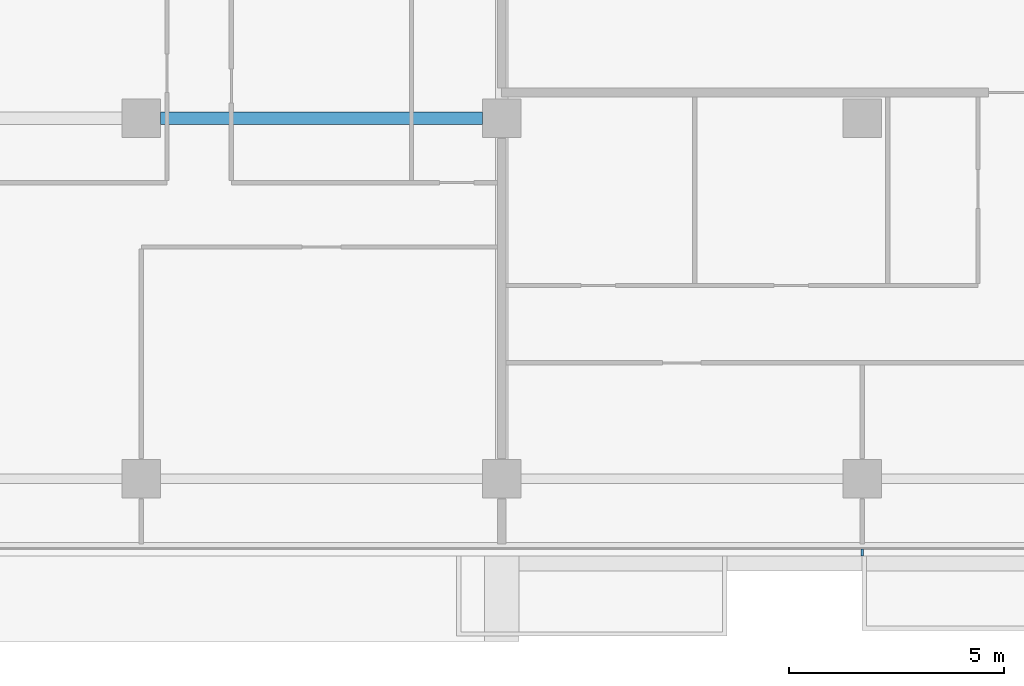
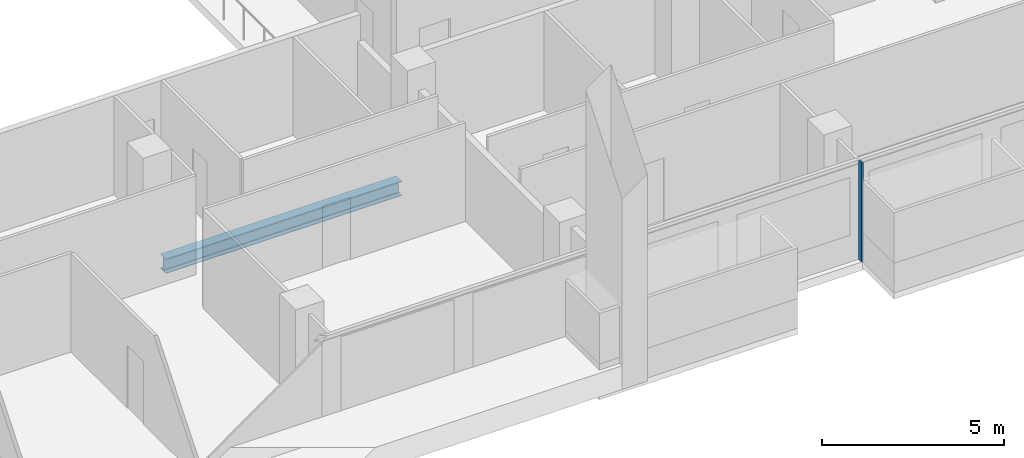
# One storey, part 6 of 30: 1 beam, 1 member, 1 element without a shape of its own.
"""IFC4 building model written with IfcOpenShell, lengths in metres."""

from ifc_helpers import new_model, si_unit, direction, frame, origin, origin_2d, place, context, subcontext, project, spatial, rectangle, i_section, extrude, material, material_profile, profile_set, type_object, element, aggregate, save


model = new_model("IFC4")

# Units and contexts
model_context = context("Model", 3, precision=1e-05, world=origin(), true_north=direction((0.0, 1.0)))
body_context = subcontext(model_context, "Body", "Model", "MODEL_VIEW")
ifc_project = project(units=[si_unit("LENGTHUNIT", "METRE"), si_unit("AREAUNIT", "SQUARE_METRE"), si_unit("VOLUMEUNIT", "CUBIC_METRE"), si_unit("PLANEANGLEUNIT", "RADIAN"), si_unit("MASSUNIT", "GRAM", prefix="KILO")], contexts=[model_context])

# Site, building, storey
site_placement = place(None, origin())
site = spatial("IfcSite", under=ifc_project, at=site_placement, CompositionType="ELEMENT")
building_placement = place(site_placement, origin())
building = spatial("IfcBuilding", under=site, at=building_placement, Name="Saffron Gate Tower", CompositionType="ELEMENT")
storey_placement = place(building_placement, frame((0.0, 0.0, 37.199951171875)))
storey = spatial("IfcBuildingStorey", under=building, at=storey_placement, Name="L07", CompositionType="ELEMENT", Elevation=37.199951171875)

# Beam
ifc_material_1 = material(Name="Structural steel S355", Category="steel")
ifc_material_profile_1 = material_profile(ifc_material_1, i_section(OverallWidth=0.300048828125, OverallDepth=0.489990234375, WebThickness=0.011962890625, FlangeThickness=0.02294921875, FilletRadius=0.027099609375, at=origin_2d()))
ifc_profile_set_1 = profile_set([ifc_material_profile_1], Name="Structural steel S355")
beam_type = type_object("IfcBeamType", Name="B8 HEA 500", PredefinedType="BEAM", material=ifc_profile_set_1)
beam_placement = place(storey_placement, frame((92.25, 40.199951171875, -0.52490234375), z_axis=(1.0, 0.0, 0.0), x_axis=(0.0, 1.0, 0.0)))
element("IfcBeam", 1, at=beam_placement, inside=storey, type_object=beam_type, Name="B8 FLOOR GIRDER", PredefinedType="BEAM", context=body_context, shape_type="SweptSolid", body=[
    extrude(i_section(OverallWidth=0.300048828125, OverallDepth=0.489990234375, WebThickness=0.011962890625, FlangeThickness=0.02294921875, FilletRadius=0.027099609375, at=origin_2d()), origin(), (0.0, 0.0, 1.0), 7.5),
])

# Curtain wall, member
ifc_material_2 = material(Name="Aluminium, bronze anodised", Category="aluminium")
curtain_wall_type = type_object("IfcCurtainWallType", Name="CWS1 curtain wall front facade", PredefinedType="NOTDEFINED", material=ifc_material_2)
curtain_wall_placement = place(storey_placement, origin())
curtain_wall = element("IfcCurtainWall", 2, at=curtain_wall_placement, inside=storey, type_object=curtain_wall_type, Name="CWS1 run 1", PredefinedType="NOTDEFINED")
ifc_material_profile_2 = material_profile(ifc_material_2, rectangle(XDim=0.159912109375, YDim=0.06005859375, at=origin_2d()))
ifc_profile_set_2 = profile_set([ifc_material_profile_2], Name="Aluminium, bronze anodised")
member_type = type_object("IfcMemberType", Name="CWS1 mullion 60x160", PredefinedType="MULLION", material=ifc_profile_set_2)
member_placement = place(storey_placement, frame((108.60009765625, 30.080078125, 0.0), z_axis=(0.0, 0.0, 1.0), x_axis=(0.0, 1.0, 0.0)))
member = element("IfcMember", 3, at=member_placement, type_object=member_type, Name="CWS1 mullion 8", PredefinedType="MULLION", context=body_context, shape_type="SweptSolid", body=[
    extrude(rectangle(XDim=0.159912109375, YDim=0.06005859375, at=origin_2d()), origin(), (0.0, 0.0, 1.0), 3.320068359375),
])
aggregate(curtain_wall, [member])

save(model, "model.ifc")
